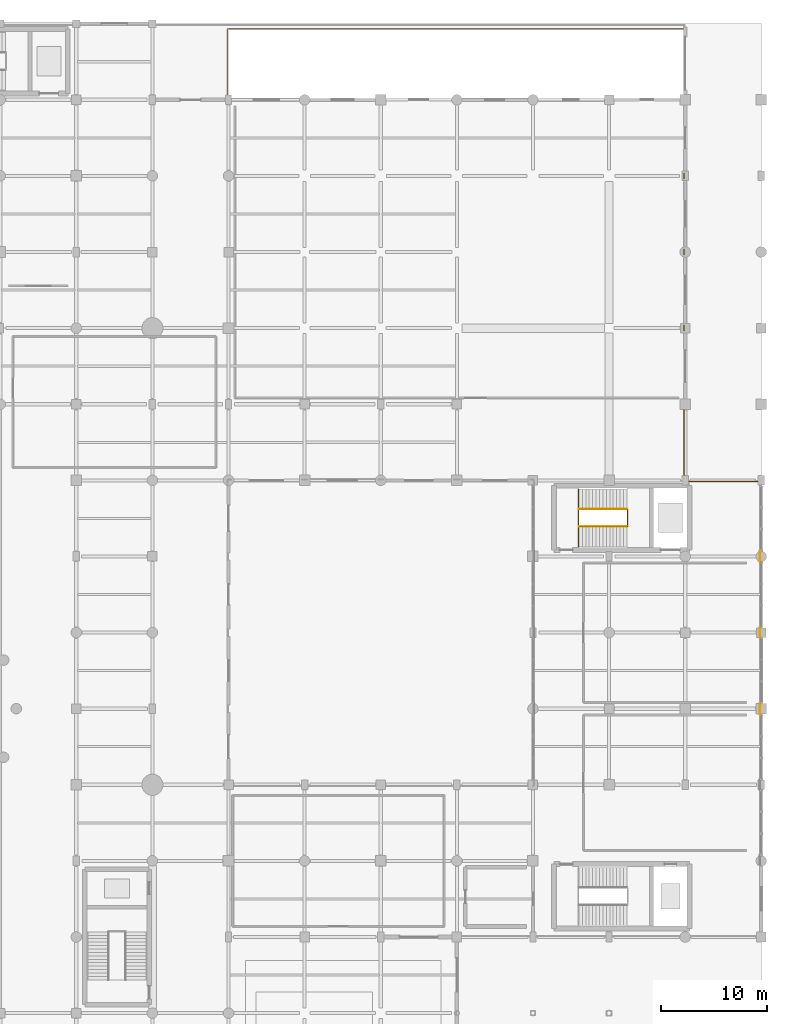
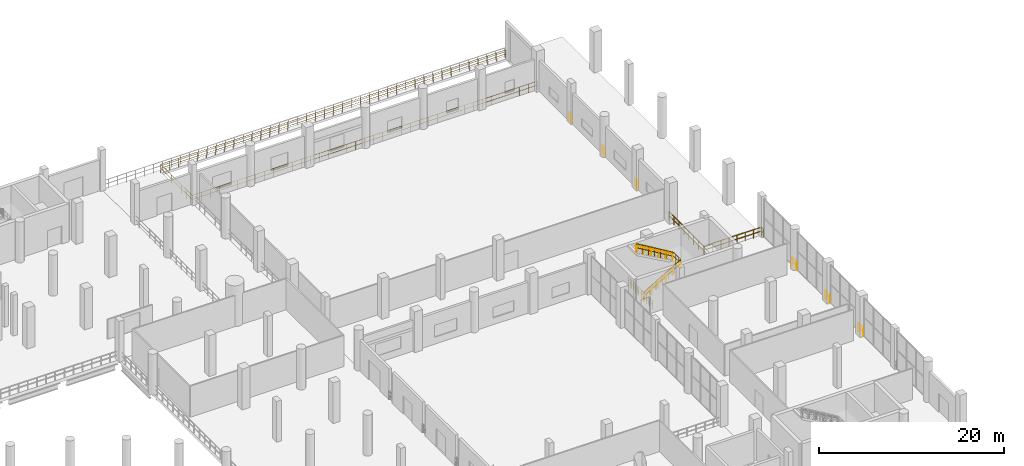
# One storey, part 55 of 58: 14 railings.
"""IFC4 building model written with IfcOpenShell, lengths in metres."""

from ifc_helpers import new_model, si_unit, direction, frame, origin, origin_2d, place, context, subcontext, project, spatial, circle, extrude, material, type_object, element, save


model = new_model("IFC4")

# Units and contexts
model_context = context("Model", 3, precision=1e-05, world=origin(), true_north=direction((0.0, 1.0)))
body_context = subcontext(model_context, "Body", "Model", "MODEL_VIEW")
ifc_project = project(units=[si_unit("LENGTHUNIT", "METRE"), si_unit("AREAUNIT", "SQUARE_METRE"), si_unit("VOLUMEUNIT", "CUBIC_METRE"), si_unit("PLANEANGLEUNIT", "RADIAN"), si_unit("MASSUNIT", "GRAM", prefix="KILO")], contexts=[model_context])

# Site, building, storey
site_placement = place(None, origin())
site = spatial("IfcSite", under=ifc_project, at=site_placement, CompositionType="ELEMENT")
building_placement = place(site_placement, origin())
building = spatial("IfcBuilding", under=site, at=building_placement, Name="Qandorah Velis Arena", CompositionType="ELEMENT")
storey_placement = place(building_placement, origin())
storey = spatial("IfcBuildingStorey", under=building, at=storey_placement, Name="L00", CompositionType="ELEMENT", Elevation=0.0)

# Railings
ifc_material = material(Name="Stainless steel 316", Category="steel")
railing_type_1 = type_object("IfcRailingType", Name="ARC-RL-GRD1150", PredefinedType="GUARDRAIL", material=ifc_material)
railing_1_placement = place(storey_placement, frame((155.510009765625, 80.159912109375, 0.0)))
element("IfcRailing", 1, at=railing_1_placement, inside=storey, type_object=railing_type_1, Name="Stair ST8 landing well-slot guardrail L00", PredefinedType="GUARDRAIL", context=body_context, shape_type="SweptSolid", body=[
    extrude(circle(Radius=0.02392578125, at=origin_2d()), frame((0.0, 0.0, 1.1259765625), z_axis=(0.0, 1.0, 0.0), x_axis=(-1.0, 0.0, 0.0)), (0.0, 0.0, 1.0), 5.380126953125),
    extrude(circle(Radius=0.02392578125, at=origin_2d()), frame((0.0, 0.0, 0.597900390625), z_axis=(0.0, 1.0, 0.0), x_axis=(-1.0, 0.0, 0.0)), (0.0, 0.0, 1.0), 5.380126953125),
    extrude(circle(Radius=0.02099609375, at=origin_2d()), origin(), (0.0, 0.0, 1.0), 1.101806640625),
    extrude(circle(Radius=0.02099609375, at=origin_2d()), frame((0.0, 0.298828125, 0.0)), (0.0, 0.0, 1.0), 1.101806640625),
    extrude(circle(Radius=0.02099609375, at=origin_2d()), frame((0.0, 0.597900390625, 0.0)), (0.0, 0.0, 1.0), 1.101806640625),
    extrude(circle(Radius=0.02099609375, at=origin_2d()), frame((0.0, 0.896728515625, 0.0)), (0.0, 0.0, 1.0), 1.101806640625),
    extrude(circle(Radius=0.02099609375, at=origin_2d()), frame((0.0, 1.195556640625, 0.0)), (0.0, 0.0, 1.0), 1.101806640625),
    extrude(circle(Radius=0.02099609375, at=origin_2d()), frame((0.0, 1.494384765625, 0.0)), (0.0, 0.0, 1.0), 1.101806640625),
    extrude(circle(Radius=0.02099609375, at=origin_2d()), frame((0.0, 1.79345703125, 0.0)), (0.0, 0.0, 1.0), 1.101806640625),
    extrude(circle(Radius=0.02099609375, at=origin_2d()), frame((0.0, 2.09228515625, 0.0)), (0.0, 0.0, 1.0), 1.101806640625),
    extrude(circle(Radius=0.02099609375, at=origin_2d()), frame((0.0, 2.39111328125, 0.0)), (0.0, 0.0, 1.0), 1.101806640625),
    extrude(circle(Radius=0.02099609375, at=origin_2d()), frame((0.0, 2.68994140625, 0.0)), (0.0, 0.0, 1.0), 1.101806640625),
    extrude(circle(Radius=0.02099609375, at=origin_2d()), frame((0.0, 2.989013671875, 0.0)), (0.0, 0.0, 1.0), 1.101806640625),
    extrude(circle(Radius=0.02099609375, at=origin_2d()), frame((0.0, 3.287841796875, 0.0)), (0.0, 0.0, 1.0), 1.101806640625),
    extrude(circle(Radius=0.02099609375, at=origin_2d()), frame((0.0, 3.586669921875, 0.0)), (0.0, 0.0, 1.0), 1.101806640625),
    extrude(circle(Radius=0.02099609375, at=origin_2d()), frame((0.0, 3.8857421875, 0.0)), (0.0, 0.0, 1.0), 1.101806640625),
    extrude(circle(Radius=0.02099609375, at=origin_2d()), frame((0.0, 4.1845703125, 0.0)), (0.0, 0.0, 1.0), 1.101806640625),
    extrude(circle(Radius=0.02099609375, at=origin_2d()), frame((0.0, 4.4833984375, 0.0)), (0.0, 0.0, 1.0), 1.101806640625),
    extrude(circle(Radius=0.02099609375, at=origin_2d()), frame((0.0, 4.7822265625, 0.0)), (0.0, 0.0, 1.0), 1.101806640625),
    extrude(circle(Radius=0.02099609375, at=origin_2d()), frame((0.0, 5.081298828125, 0.0)), (0.0, 0.0, 1.0), 1.101806640625),
    extrude(circle(Radius=0.02099609375, at=origin_2d()), frame((0.0, 5.380126953125, 0.0)), (0.0, 0.0, 1.0), 1.101806640625),
])
railing_2_placement = place(storey_placement, frame((160.14599609375, 82.0400390625, 2.699951171875)))
element("IfcRailing", 2, at=railing_2_placement, inside=storey, type_object=railing_type_1, Name="Stair ST8 well guardrail (L00)", PredefinedType="GUARDRAIL", context=body_context, shape_type="SweptSolid", body=[
    extrude(circle(Radius=0.02392578125, at=origin_2d()), frame((0.0, 0.0, 1.1259765625), z_axis=(0.0, 1.0, 0.0), x_axis=(-1.0, 0.0, 0.0)), (0.0, 0.0, 1.0), 1.619873046875),
    extrude(circle(Radius=0.02392578125, at=origin_2d()), frame((0.0, 0.0, 0.597900390625), z_axis=(0.0, 1.0, 0.0), x_axis=(-1.0, 0.0, 0.0)), (0.0, 0.0, 1.0), 1.619873046875),
    extrude(circle(Radius=0.02099609375, at=origin_2d()), origin(), (0.0, 0.0, 1.0), 1.101806640625),
    extrude(circle(Radius=0.02099609375, at=origin_2d()), frame((0.0, 0.27001953125, 0.0)), (0.0, 0.0, 1.0), 1.101806640625),
    extrude(circle(Radius=0.02099609375, at=origin_2d()), frame((0.0, 0.5400390625, 0.0)), (0.0, 0.0, 1.0), 1.101806640625),
    extrude(circle(Radius=0.02099609375, at=origin_2d()), frame((0.0, 0.81005859375, 0.0)), (0.0, 0.0, 1.0), 1.101806640625),
    extrude(circle(Radius=0.02099609375, at=origin_2d()), frame((0.0, 1.079833984375, 0.0)), (0.0, 0.0, 1.0), 1.101806640625),
    extrude(circle(Radius=0.02099609375, at=origin_2d()), frame((0.0, 1.349853515625, 0.0)), (0.0, 0.0, 1.0), 1.101806640625),
    extrude(circle(Radius=0.02099609375, at=origin_2d()), frame((0.0, 1.619873046875, 0.0)), (0.0, 0.0, 1.0), 1.101806640625),
])
railing_3_placement = place(storey_placement, frame((155.550048828125, 82.030029296875, 0.0)))
element("IfcRailing", 3, at=railing_3_placement, inside=storey, type_object=railing_type_1, Name="Stair ST8 inner flight 1 guardrail (L00)", PredefinedType="GUARDRAIL", context=body_context, shape_type="SweptSolid", body=[
    extrude(circle(Radius=0.02392578125, at=origin_2d()), frame((0.0, 0.0, 1.1259765625), z_axis=(0.859291432417, 0.0, 0.511486299107), x_axis=(0.0, 1.0, 0.0)), (0.0, 0.0, 1.0), 5.278564453125),
    extrude(circle(Radius=0.02392578125, at=origin_2d()), frame((0.0, 0.0, 0.597900390625), z_axis=(0.859291432417, 0.0, 0.511486299107), x_axis=(0.0, 1.0, 0.0)), (0.0, 0.0, 1.0), 5.278564453125),
    extrude(circle(Radius=0.02099609375, at=origin_2d()), origin(), (0.0, 0.0, 1.0), 1.101806640625),
    extrude(circle(Radius=0.02099609375, at=origin_2d()), frame((0.755859375, 0.0, 0.449951171875)), (0.0, 0.0, 1.0), 1.101806640625),
    extrude(circle(Radius=0.02099609375, at=origin_2d()), frame((1.511962890625, 0.0, 0.89990234375)), (0.0, 0.0, 1.0), 1.101806640625),
    extrude(circle(Radius=0.02099609375, at=origin_2d()), frame((2.26806640625, 0.0, 1.35009765625)), (0.0, 0.0, 1.0), 1.101806640625),
    extrude(circle(Radius=0.02099609375, at=origin_2d()), frame((3.02392578125, 0.0, 1.800048828125)), (0.0, 0.0, 1.0), 1.101806640625),
    extrude(circle(Radius=0.02099609375, at=origin_2d()), frame((3.77978515625, 0.0, 2.25)), (0.0, 0.0, 1.0), 1.101806640625),
    extrude(circle(Radius=0.02099609375, at=origin_2d()), frame((4.535888671875, 0.0, 2.699951171875)), (0.0, 0.0, 1.0), 1.101806640625),
])
railing_4_placement = place(storey_placement, frame((160.0859375, 83.669921875, 2.699951171875)))
element("IfcRailing", 4, at=railing_4_placement, inside=storey, type_object=railing_type_1, Name="Stair ST8 inner flight 2 guardrail (L00)", PredefinedType="GUARDRAIL", context=body_context, shape_type="SweptSolid", body=[
    extrude(circle(Radius=0.02392578125, at=origin_2d()), frame((0.0, 0.0, 1.1259765625), z_axis=(-0.859291432417, 0.0, 0.511486299107), x_axis=(0.0, -1.0, 0.0)), (0.0, 0.0, 1.0), 5.278564453125),
    extrude(circle(Radius=0.02392578125, at=origin_2d()), frame((0.0, 0.0, 0.597900390625), z_axis=(-0.859291432417, 0.0, 0.511486299107), x_axis=(0.0, -1.0, 0.0)), (0.0, 0.0, 1.0), 5.278564453125),
    extrude(circle(Radius=0.02099609375, at=origin_2d()), origin(), (0.0, 0.0, 1.0), 1.101806640625),
    extrude(circle(Radius=0.02099609375, at=origin_2d()), frame((-0.755859375, 0.0, 0.449951171875)), (0.0, 0.0, 1.0), 1.101806640625),
    extrude(circle(Radius=0.02099609375, at=origin_2d()), frame((-1.511962890625, 0.0, 0.89990234375)), (0.0, 0.0, 1.0), 1.101806640625),
    extrude(circle(Radius=0.02099609375, at=origin_2d()), frame((-2.26806640625, 0.0, 1.35009765625)), (0.0, 0.0, 1.0), 1.101806640625),
    extrude(circle(Radius=0.02099609375, at=origin_2d()), frame((-3.02392578125, 0.0, 1.800048828125)), (0.0, 0.0, 1.0), 1.101806640625),
    extrude(circle(Radius=0.02099609375, at=origin_2d()), frame((-3.77978515625, 0.0, 2.25)), (0.0, 0.0, 1.0), 1.101806640625),
    extrude(circle(Radius=0.02099609375, at=origin_2d()), frame((-4.535888671875, 0.0, 2.699951171875)), (0.0, 0.0, 1.0), 1.101806640625),
])
railing_5_placement = place(storey_placement, frame((165.449951171875, 122.300048828125, 0.0)))
element("IfcRailing", 5, at=railing_5_placement, inside=storey, type_object=railing_type_1, Name="Vehicle ramp L00 well guardrail", PredefinedType="GUARDRAIL", context=body_context, shape_type="SweptSolid", body=[
    extrude(circle(Radius=0.02392578125, at=origin_2d()), frame((0.0, 0.0, 1.1259765625), z_axis=(-1.0, 0.0, 0.0), x_axis=(0.0, -1.0, 0.0)), (0.0, 0.0, 1.0), 43.14990234375),
    extrude(circle(Radius=0.02392578125, at=origin_2d()), frame((0.0, 0.0, 0.597900390625), z_axis=(-1.0, 0.0, 0.0), x_axis=(0.0, -1.0, 0.0)), (0.0, 0.0, 1.0), 43.14990234375),
    extrude(circle(Radius=0.02392578125, at=origin_2d()), frame((-43.14990234375, 0.0, 1.1259765625), z_axis=(0.0, 1.0, 0.0), x_axis=(-1.0, 0.0, 0.0)), (0.0, 0.0, 1.0), 6.800048828125),
    extrude(circle(Radius=0.02392578125, at=origin_2d()), frame((-43.14990234375, 0.0, 0.597900390625), z_axis=(0.0, 1.0, 0.0), x_axis=(-1.0, 0.0, 0.0)), (0.0, 0.0, 1.0), 6.800048828125),
    extrude(circle(Radius=0.02392578125, at=origin_2d()), frame((-43.14990234375, 6.800048828125, 1.1259765625), z_axis=(1.0, 0.0, 0.0), x_axis=(0.0, 1.0, 0.0)), (0.0, 0.0, 1.0), 43.14990234375),
    extrude(circle(Radius=0.02392578125, at=origin_2d()), frame((-43.14990234375, 6.800048828125, 0.597900390625), z_axis=(1.0, 0.0, 0.0), x_axis=(0.0, 1.0, 0.0)), (0.0, 0.0, 1.0), 43.14990234375),
    extrude(circle(Radius=0.02099609375, at=origin_2d()), origin(), (0.0, 0.0, 1.0), 1.101806640625),
    extrude(circle(Radius=0.02099609375, at=origin_2d()), frame((-1.135498046875, 0.0, 0.0)), (0.0, 0.0, 1.0), 1.101806640625),
    extrude(circle(Radius=0.02099609375, at=origin_2d()), frame((-2.27099609375, 0.0, 0.0)), (0.0, 0.0, 1.0), 1.101806640625),
    extrude(circle(Radius=0.02099609375, at=origin_2d()), frame((-3.406494140625, 0.0, 0.0)), (0.0, 0.0, 1.0), 1.101806640625),
    extrude(circle(Radius=0.02099609375, at=origin_2d()), frame((-4.5419921875, 0.0, 0.0)), (0.0, 0.0, 1.0), 1.101806640625),
    extrude(circle(Radius=0.02099609375, at=origin_2d()), frame((-5.677734375, 0.0, 0.0)), (0.0, 0.0, 1.0), 1.101806640625),
    extrude(circle(Radius=0.02099609375, at=origin_2d()), frame((-6.813232421875, 0.0, 0.0)), (0.0, 0.0, 1.0), 1.101806640625),
    extrude(circle(Radius=0.02099609375, at=origin_2d()), frame((-7.94873046875, 0.0, 0.0)), (0.0, 0.0, 1.0), 1.101806640625),
    extrude(circle(Radius=0.02099609375, at=origin_2d()), frame((-9.084228515625, 0.0, 0.0)), (0.0, 0.0, 1.0), 1.101806640625),
    extrude(circle(Radius=0.02099609375, at=origin_2d()), frame((-10.2197265625, 0.0, 0.0)), (0.0, 0.0, 1.0), 1.101806640625),
    extrude(circle(Radius=0.02099609375, at=origin_2d()), frame((-11.355224609375, 0.0, 0.0)), (0.0, 0.0, 1.0), 1.101806640625),
    extrude(circle(Radius=0.02099609375, at=origin_2d()), frame((-12.49072265625, 0.0, 0.0)), (0.0, 0.0, 1.0), 1.101806640625),
    extrude(circle(Radius=0.02099609375, at=origin_2d()), frame((-13.626220703125, 0.0, 0.0)), (0.0, 0.0, 1.0), 1.101806640625),
    extrude(circle(Radius=0.02099609375, at=origin_2d()), frame((-14.76171875, 0.0, 0.0)), (0.0, 0.0, 1.0), 1.101806640625),
    extrude(circle(Radius=0.02099609375, at=origin_2d()), frame((-15.897216796875, 0.0, 0.0)), (0.0, 0.0, 1.0), 1.101806640625),
    extrude(circle(Radius=0.02099609375, at=origin_2d()), frame((-17.032958984375, 0.0, 0.0)), (0.0, 0.0, 1.0), 1.101806640625),
    extrude(circle(Radius=0.02099609375, at=origin_2d()), frame((-18.16845703125, 0.0, 0.0)), (0.0, 0.0, 1.0), 1.101806640625),
    extrude(circle(Radius=0.02099609375, at=origin_2d()), frame((-19.303955078125, 0.0, 0.0)), (0.0, 0.0, 1.0), 1.101806640625),
    extrude(circle(Radius=0.02099609375, at=origin_2d()), frame((-20.439453125, 0.0, 0.0)), (0.0, 0.0, 1.0), 1.101806640625),
    extrude(circle(Radius=0.02099609375, at=origin_2d()), frame((-21.574951171875, 0.0, 0.0)), (0.0, 0.0, 1.0), 1.101806640625),
    extrude(circle(Radius=0.02099609375, at=origin_2d()), frame((-22.71044921875, 0.0, 0.0)), (0.0, 0.0, 1.0), 1.101806640625),
    extrude(circle(Radius=0.02099609375, at=origin_2d()), frame((-23.845947265625, 0.0, 0.0)), (0.0, 0.0, 1.0), 1.101806640625),
    extrude(circle(Radius=0.02099609375, at=origin_2d()), frame((-24.9814453125, 0.0, 0.0)), (0.0, 0.0, 1.0), 1.101806640625),
    extrude(circle(Radius=0.02099609375, at=origin_2d()), frame((-26.116943359375, 0.0, 0.0)), (0.0, 0.0, 1.0), 1.101806640625),
    extrude(circle(Radius=0.02099609375, at=origin_2d()), frame((-27.252685546875, 0.0, 0.0)), (0.0, 0.0, 1.0), 1.101806640625),
    extrude(circle(Radius=0.02099609375, at=origin_2d()), frame((-28.38818359375, 0.0, 0.0)), (0.0, 0.0, 1.0), 1.101806640625),
    extrude(circle(Radius=0.02099609375, at=origin_2d()), frame((-29.523681640625, 0.0, 0.0)), (0.0, 0.0, 1.0), 1.101806640625),
    extrude(circle(Radius=0.02099609375, at=origin_2d()), frame((-30.6591796875, 0.0, 0.0)), (0.0, 0.0, 1.0), 1.101806640625),
    extrude(circle(Radius=0.02099609375, at=origin_2d()), frame((-31.794677734375, 0.0, 0.0)), (0.0, 0.0, 1.0), 1.101806640625),
    extrude(circle(Radius=0.02099609375, at=origin_2d()), frame((-32.93017578125, 0.0, 0.0)), (0.0, 0.0, 1.0), 1.101806640625),
    extrude(circle(Radius=0.02099609375, at=origin_2d()), frame((-34.065673828125, 0.0, 0.0)), (0.0, 0.0, 1.0), 1.101806640625),
    extrude(circle(Radius=0.02099609375, at=origin_2d()), frame((-35.201171875, 0.0, 0.0)), (0.0, 0.0, 1.0), 1.101806640625),
    extrude(circle(Radius=0.02099609375, at=origin_2d()), frame((-36.336669921875, 0.0, 0.0)), (0.0, 0.0, 1.0), 1.101806640625),
    extrude(circle(Radius=0.02099609375, at=origin_2d()), frame((-37.47216796875, 0.0, 0.0)), (0.0, 0.0, 1.0), 1.101806640625),
    extrude(circle(Radius=0.02099609375, at=origin_2d()), frame((-38.60791015625, 0.0, 0.0)), (0.0, 0.0, 1.0), 1.101806640625),
    extrude(circle(Radius=0.02099609375, at=origin_2d()), frame((-39.743408203125, 0.0, 0.0)), (0.0, 0.0, 1.0), 1.101806640625),
    extrude(circle(Radius=0.02099609375, at=origin_2d()), frame((-40.87890625, 0.0, 0.0)), (0.0, 0.0, 1.0), 1.101806640625),
    extrude(circle(Radius=0.02099609375, at=origin_2d()), frame((-42.014404296875, 0.0, 0.0)), (0.0, 0.0, 1.0), 1.101806640625),
    extrude(circle(Radius=0.02099609375, at=origin_2d()), frame((-43.14990234375, 0.0, 0.0)), (0.0, 0.0, 1.0), 1.101806640625),
    extrude(circle(Radius=0.02099609375, at=origin_2d()), frame((-43.14990234375, 1.13330078125, 0.0)), (0.0, 0.0, 1.0), 1.101806640625),
    extrude(circle(Radius=0.02099609375, at=origin_2d()), frame((-43.14990234375, 2.2666015625, 0.0)), (0.0, 0.0, 1.0), 1.101806640625),
    extrude(circle(Radius=0.02099609375, at=origin_2d()), frame((-43.14990234375, 3.39990234375, 0.0)), (0.0, 0.0, 1.0), 1.101806640625),
    extrude(circle(Radius=0.02099609375, at=origin_2d()), frame((-43.14990234375, 4.533447265625, 0.0)), (0.0, 0.0, 1.0), 1.101806640625),
    extrude(circle(Radius=0.02099609375, at=origin_2d()), frame((-43.14990234375, 5.666748046875, 0.0)), (0.0, 0.0, 1.0), 1.101806640625),
    extrude(circle(Radius=0.02099609375, at=origin_2d()), frame((-43.14990234375, 6.800048828125, 0.0)), (0.0, 0.0, 1.0), 1.101806640625),
    extrude(circle(Radius=0.02099609375, at=origin_2d()), frame((-42.014404296875, 6.800048828125, 0.0)), (0.0, 0.0, 1.0), 1.101806640625),
    extrude(circle(Radius=0.02099609375, at=origin_2d()), frame((-40.87890625, 6.800048828125, 0.0)), (0.0, 0.0, 1.0), 1.101806640625),
    extrude(circle(Radius=0.02099609375, at=origin_2d()), frame((-39.743408203125, 6.800048828125, 0.0)), (0.0, 0.0, 1.0), 1.101806640625),
    extrude(circle(Radius=0.02099609375, at=origin_2d()), frame((-38.60791015625, 6.800048828125, 0.0)), (0.0, 0.0, 1.0), 1.101806640625),
    extrude(circle(Radius=0.02099609375, at=origin_2d()), frame((-37.47216796875, 6.800048828125, 0.0)), (0.0, 0.0, 1.0), 1.101806640625),
    extrude(circle(Radius=0.02099609375, at=origin_2d()), frame((-36.336669921875, 6.800048828125, 0.0)), (0.0, 0.0, 1.0), 1.101806640625),
    extrude(circle(Radius=0.02099609375, at=origin_2d()), frame((-35.201171875, 6.800048828125, 0.0)), (0.0, 0.0, 1.0), 1.101806640625),
    extrude(circle(Radius=0.02099609375, at=origin_2d()), frame((-34.065673828125, 6.800048828125, 0.0)), (0.0, 0.0, 1.0), 1.101806640625),
    extrude(circle(Radius=0.02099609375, at=origin_2d()), frame((-32.93017578125, 6.800048828125, 0.0)), (0.0, 0.0, 1.0), 1.101806640625),
    extrude(circle(Radius=0.02099609375, at=origin_2d()), frame((-31.794677734375, 6.800048828125, 0.0)), (0.0, 0.0, 1.0), 1.101806640625),
    extrude(circle(Radius=0.02099609375, at=origin_2d()), frame((-30.6591796875, 6.800048828125, 0.0)), (0.0, 0.0, 1.0), 1.101806640625),
    extrude(circle(Radius=0.02099609375, at=origin_2d()), frame((-29.523681640625, 6.800048828125, 0.0)), (0.0, 0.0, 1.0), 1.101806640625),
    extrude(circle(Radius=0.02099609375, at=origin_2d()), frame((-28.38818359375, 6.800048828125, 0.0)), (0.0, 0.0, 1.0), 1.101806640625),
    extrude(circle(Radius=0.02099609375, at=origin_2d()), frame((-27.252685546875, 6.800048828125, 0.0)), (0.0, 0.0, 1.0), 1.101806640625),
    extrude(circle(Radius=0.02099609375, at=origin_2d()), frame((-26.116943359375, 6.800048828125, 0.0)), (0.0, 0.0, 1.0), 1.101806640625),
    extrude(circle(Radius=0.02099609375, at=origin_2d()), frame((-24.9814453125, 6.800048828125, 0.0)), (0.0, 0.0, 1.0), 1.101806640625),
    extrude(circle(Radius=0.02099609375, at=origin_2d()), frame((-23.845947265625, 6.800048828125, 0.0)), (0.0, 0.0, 1.0), 1.101806640625),
    extrude(circle(Radius=0.02099609375, at=origin_2d()), frame((-22.71044921875, 6.800048828125, 0.0)), (0.0, 0.0, 1.0), 1.101806640625),
    extrude(circle(Radius=0.02099609375, at=origin_2d()), frame((-21.574951171875, 6.800048828125, 0.0)), (0.0, 0.0, 1.0), 1.101806640625),
    extrude(circle(Radius=0.02099609375, at=origin_2d()), frame((-20.439453125, 6.800048828125, 0.0)), (0.0, 0.0, 1.0), 1.101806640625),
    extrude(circle(Radius=0.02099609375, at=origin_2d()), frame((-19.303955078125, 6.800048828125, 0.0)), (0.0, 0.0, 1.0), 1.101806640625),
    extrude(circle(Radius=0.02099609375, at=origin_2d()), frame((-18.16845703125, 6.800048828125, 0.0)), (0.0, 0.0, 1.0), 1.101806640625),
    extrude(circle(Radius=0.02099609375, at=origin_2d()), frame((-17.032958984375, 6.800048828125, 0.0)), (0.0, 0.0, 1.0), 1.101806640625),
    extrude(circle(Radius=0.02099609375, at=origin_2d()), frame((-15.897216796875, 6.800048828125, 0.0)), (0.0, 0.0, 1.0), 1.101806640625),
    extrude(circle(Radius=0.02099609375, at=origin_2d()), frame((-14.76171875, 6.800048828125, 0.0)), (0.0, 0.0, 1.0), 1.101806640625),
    extrude(circle(Radius=0.02099609375, at=origin_2d()), frame((-13.626220703125, 6.800048828125, 0.0)), (0.0, 0.0, 1.0), 1.101806640625),
    extrude(circle(Radius=0.02099609375, at=origin_2d()), frame((-12.49072265625, 6.800048828125, 0.0)), (0.0, 0.0, 1.0), 1.101806640625),
    extrude(circle(Radius=0.02099609375, at=origin_2d()), frame((-11.355224609375, 6.800048828125, 0.0)), (0.0, 0.0, 1.0), 1.101806640625),
    extrude(circle(Radius=0.02099609375, at=origin_2d()), frame((-10.2197265625, 6.800048828125, 0.0)), (0.0, 0.0, 1.0), 1.101806640625),
    extrude(circle(Radius=0.02099609375, at=origin_2d()), frame((-9.084228515625, 6.800048828125, 0.0)), (0.0, 0.0, 1.0), 1.101806640625),
    extrude(circle(Radius=0.02099609375, at=origin_2d()), frame((-7.94873046875, 6.800048828125, 0.0)), (0.0, 0.0, 1.0), 1.101806640625),
    extrude(circle(Radius=0.02099609375, at=origin_2d()), frame((-6.813232421875, 6.800048828125, 0.0)), (0.0, 0.0, 1.0), 1.101806640625),
    extrude(circle(Radius=0.02099609375, at=origin_2d()), frame((-5.677734375, 6.800048828125, 0.0)), (0.0, 0.0, 1.0), 1.101806640625),
    extrude(circle(Radius=0.02099609375, at=origin_2d()), frame((-4.5419921875, 6.800048828125, 0.0)), (0.0, 0.0, 1.0), 1.101806640625),
    extrude(circle(Radius=0.02099609375, at=origin_2d()), frame((-3.406494140625, 6.800048828125, 0.0)), (0.0, 0.0, 1.0), 1.101806640625),
    extrude(circle(Radius=0.02099609375, at=origin_2d()), frame((-2.27099609375, 6.800048828125, 0.0)), (0.0, 0.0, 1.0), 1.101806640625),
    extrude(circle(Radius=0.02099609375, at=origin_2d()), frame((-1.135498046875, 6.800048828125, 0.0)), (0.0, 0.0, 1.0), 1.101806640625),
    extrude(circle(Radius=0.02099609375, at=origin_2d()), frame((0.0, 6.800048828125, 0.0)), (0.0, 0.0, 1.0), 1.101806640625),
])
for number, where, name in (
    (6, (165.5, 115.449951171875, 0.0), "Slab edge safety guardrail L00-051"),
    (7, (165.5, 108.25, 0.0), "Slab edge safety guardrail L00-052"),
    (8, (165.5, 101.050048828125, 0.0), "Slab edge safety guardrail L00-053"),
):
    element("IfcRailing", number, at=place(storey_placement, frame(where)), inside=storey, type_object=railing_type_1, Name=name, PredefinedType="GUARDRAIL", context=body_context, shape_type="SweptSolid", body=[
        extrude(circle(Radius=0.02392578125, at=origin_2d()), frame((0.0, 0.0, 1.1259765625), z_axis=(0.0, -1.0, 0.0), x_axis=(1.0, 0.0, 0.0)), (0.0, 0.0, 1.0), 0.5),
        extrude(circle(Radius=0.02392578125, at=origin_2d()), frame((0.0, 0.0, 0.597900390625), z_axis=(0.0, -1.0, 0.0), x_axis=(1.0, 0.0, 0.0)), (0.0, 0.0, 1.0), 0.5),
        extrude(circle(Radius=0.02099609375, at=origin_2d()), origin(), (0.0, 0.0, 1.0), 1.101806640625),
        extrude(circle(Radius=0.02099609375, at=origin_2d()), frame((0.0, -0.5, 0.0)), (0.0, 0.0, 1.0), 1.101806640625),
    ])
railing_6_placement = place(storey_placement, frame((165.5, 93.85009765625, 0.0)))
element("IfcRailing", 9, at=railing_6_placement, inside=storey, type_object=railing_type_1, Name="Slab edge safety guardrail L00-054", PredefinedType="GUARDRAIL", context=body_context, shape_type="SweptSolid", body=[
    extrude(circle(Radius=0.02392578125, at=origin_2d()), frame((0.0, 0.0, 1.1259765625), z_axis=(0.0, -1.0, 0.0), x_axis=(1.0, 0.0, 0.0)), (0.0, 0.0, 1.0), 7.4501953125),
    extrude(circle(Radius=0.02392578125, at=origin_2d()), frame((0.0, 0.0, 0.597900390625), z_axis=(0.0, -1.0, 0.0), x_axis=(1.0, 0.0, 0.0)), (0.0, 0.0, 1.0), 7.4501953125),
    extrude(circle(Radius=0.02392578125, at=origin_2d()), frame((0.0, -7.4501953125, 1.1259765625), z_axis=(0.635437237523, -0.77215252196, 0.0), x_axis=(0.77215252196, 0.635437237523, 0.0)), (0.0, 0.0, 1.0), 0.126708984375),
    extrude(circle(Radius=0.02392578125, at=origin_2d()), frame((0.0, -7.4501953125, 0.597900390625), z_axis=(0.635437237523, -0.77215252196, 0.0), x_axis=(0.77215252196, 0.635437237523, 0.0)), (0.0, 0.0, 1.0), 0.126708984375),
    extrude(circle(Radius=0.02392578125, at=origin_2d()), frame((0.08056640625, -7.548095703125, 1.1259765625), z_axis=(0.999999962369, -0.000274339004, 0.0), x_axis=(0.000274339004, 0.999999962369, 0.0)), (0.0, 0.0, 1.0), 7.119384765625),
    extrude(circle(Radius=0.02392578125, at=origin_2d()), frame((0.08056640625, -7.548095703125, 0.597900390625), z_axis=(0.999999962369, -0.000274339004, 0.0), x_axis=(0.000274339004, 0.999999962369, 0.0)), (0.0, 0.0, 1.0), 7.119384765625),
    extrude(circle(Radius=0.02392578125, at=origin_2d()), frame((7.199951171875, -7.550048828125, 1.1259765625), z_axis=(0.0, -1.0, 0.0), x_axis=(1.0, 0.0, 0.0)), (0.0, 0.0, 1.0), 0.375),
    extrude(circle(Radius=0.02392578125, at=origin_2d()), frame((7.199951171875, -7.550048828125, 0.597900390625), z_axis=(0.0, -1.0, 0.0), x_axis=(1.0, 0.0, 0.0)), (0.0, 0.0, 1.0), 0.375),
    extrude(circle(Radius=0.02099609375, at=origin_2d()), origin(), (0.0, 0.0, 1.0), 1.101806640625),
    extrude(circle(Radius=0.02099609375, at=origin_2d()), frame((0.0, -1.064208984375, 0.0)), (0.0, 0.0, 1.0), 1.101806640625),
    extrude(circle(Radius=0.02099609375, at=origin_2d()), frame((0.0, -2.128662109375, 0.0)), (0.0, 0.0, 1.0), 1.101806640625),
    extrude(circle(Radius=0.02099609375, at=origin_2d()), frame((0.0, -3.19287109375, 0.0)), (0.0, 0.0, 1.0), 1.101806640625),
    extrude(circle(Radius=0.02099609375, at=origin_2d()), frame((0.0, -4.25732421875, 0.0)), (0.0, 0.0, 1.0), 1.101806640625),
    extrude(circle(Radius=0.02099609375, at=origin_2d()), frame((0.0, -5.321533203125, 0.0)), (0.0, 0.0, 1.0), 1.101806640625),
    extrude(circle(Radius=0.02099609375, at=origin_2d()), frame((0.0, -6.385986328125, 0.0)), (0.0, 0.0, 1.0), 1.101806640625),
    extrude(circle(Radius=0.02099609375, at=origin_2d()), frame((0.0, -7.4501953125, 0.0)), (0.0, 0.0, 1.0), 1.101806640625),
    extrude(circle(Radius=0.02099609375, at=origin_2d()), frame((0.08056640625, -7.548095703125, 0.0)), (0.0, 0.0, 1.0), 1.101806640625),
    extrude(circle(Radius=0.02099609375, at=origin_2d()), frame((1.09765625, -7.54833984375, 0.0)), (0.0, 0.0, 1.0), 1.101806640625),
    extrude(circle(Radius=0.02099609375, at=origin_2d()), frame((2.11474609375, -7.548583984375, 0.0)), (0.0, 0.0, 1.0), 1.101806640625),
    extrude(circle(Radius=0.02099609375, at=origin_2d()), frame((3.1318359375, -7.548828125, 0.0)), (0.0, 0.0, 1.0), 1.101806640625),
    extrude(circle(Radius=0.02099609375, at=origin_2d()), frame((4.148681640625, -7.54931640625, 0.0)), (0.0, 0.0, 1.0), 1.101806640625),
    extrude(circle(Radius=0.02099609375, at=origin_2d()), frame((5.165771484375, -7.549560546875, 0.0)), (0.0, 0.0, 1.0), 1.101806640625),
    extrude(circle(Radius=0.02099609375, at=origin_2d()), frame((6.182861328125, -7.5498046875, 0.0)), (0.0, 0.0, 1.0), 1.101806640625),
    extrude(circle(Radius=0.02099609375, at=origin_2d()), frame((7.199951171875, -7.550048828125, 0.0)), (0.0, 0.0, 1.0), 1.101806640625),
    extrude(circle(Radius=0.02099609375, at=origin_2d()), frame((7.199951171875, -7.925048828125, 0.0)), (0.0, 0.0, 1.0), 1.101806640625),
])
railing_7_placement = place(storey_placement, frame((172.699951171875, 79.72509765625, 0.0)))
element("IfcRailing", 10, at=railing_7_placement, inside=storey, type_object=railing_type_1, Name="Slab edge safety guardrail L00-055", PredefinedType="GUARDRAIL", context=body_context, shape_type="SweptSolid", body=[
    extrude(circle(Radius=0.02392578125, at=origin_2d()), frame((0.0, 0.0, 1.1259765625), z_axis=(0.0, -1.0, 0.0), x_axis=(1.0, 0.0, 0.0)), (0.0, 0.0, 1.0), 1.050048828125),
    extrude(circle(Radius=0.02392578125, at=origin_2d()), frame((0.0, 0.0, 0.597900390625), z_axis=(0.0, -1.0, 0.0), x_axis=(1.0, 0.0, 0.0)), (0.0, 0.0, 1.0), 1.050048828125),
    extrude(circle(Radius=0.02099609375, at=origin_2d()), origin(), (0.0, 0.0, 1.0), 1.101806640625),
    extrude(circle(Radius=0.02099609375, at=origin_2d()), frame((0.0, -1.050048828125, 0.0)), (0.0, 0.0, 1.0), 1.101806640625),
])
railing_8_placement = place(storey_placement, frame((172.699951171875, 72.47509765625, 0.0)))
element("IfcRailing", 11, at=railing_8_placement, inside=storey, type_object=railing_type_1, Name="Slab edge safety guardrail L00-056", PredefinedType="GUARDRAIL", context=body_context, shape_type="SweptSolid", body=[
    extrude(circle(Radius=0.02392578125, at=origin_2d()), frame((0.0, 0.0, 1.1259765625), z_axis=(0.0, -1.0, 0.0), x_axis=(1.0, 0.0, 0.0)), (0.0, 0.0, 1.0), 0.9501953125),
    extrude(circle(Radius=0.02392578125, at=origin_2d()), frame((0.0, 0.0, 0.597900390625), z_axis=(0.0, -1.0, 0.0), x_axis=(1.0, 0.0, 0.0)), (0.0, 0.0, 1.0), 0.9501953125),
    extrude(circle(Radius=0.02099609375, at=origin_2d()), origin(), (0.0, 0.0, 1.0), 1.101806640625),
    extrude(circle(Radius=0.02099609375, at=origin_2d()), frame((0.0, -0.9501953125, 0.0)), (0.0, 0.0, 1.0), 1.101806640625),
])
railing_9_placement = place(storey_placement, frame((172.699951171875, 65.324951171875, 0.0)))
element("IfcRailing", 12, at=railing_9_placement, inside=storey, type_object=railing_type_1, Name="Slab edge safety guardrail L00-057", PredefinedType="GUARDRAIL", context=body_context, shape_type="SweptSolid", body=[
    extrude(circle(Radius=0.02392578125, at=origin_2d()), frame((0.0, 0.0, 1.1259765625), z_axis=(0.0, -1.0, 0.0), x_axis=(1.0, 0.0, 0.0)), (0.0, 0.0, 1.0), 1.050048828125),
    extrude(circle(Radius=0.02392578125, at=origin_2d()), frame((0.0, 0.0, 0.597900390625), z_axis=(0.0, -1.0, 0.0), x_axis=(1.0, 0.0, 0.0)), (0.0, 0.0, 1.0), 1.050048828125),
    extrude(circle(Radius=0.02099609375, at=origin_2d()), origin(), (0.0, 0.0, 1.0), 1.101806640625),
    extrude(circle(Radius=0.02099609375, at=origin_2d()), frame((0.0, -1.050048828125, 0.0)), (0.0, 0.0, 1.0), 1.101806640625),
])
railing_type_2 = type_object("IfcRailingType", Name="ARC-RL-HND920", PredefinedType="HANDRAIL", material=ifc_material)
railing_10_placement = place(storey_placement, frame((155.550048828125, 82.030029296875, 0.0)))
element("IfcRailing", 13, at=railing_10_placement, inside=storey, type_object=railing_type_2, Name="Stair ST8 inner handrail 1 (L00)", PredefinedType="HANDRAIL", context=body_context, shape_type="SweptSolid", body=[
    extrude(circle(Radius=0.02392578125, at=origin_2d()), frame((0.0, 0.0, 0.89599609375), z_axis=(0.859291432417, 0.0, 0.511486299107), x_axis=(0.0, 1.0, 0.0)), (0.0, 0.0, 1.0), 5.278564453125),
    extrude(circle(Radius=0.02099609375, at=origin_2d()), origin(), (0.0, 0.0, 1.0), 0.871826171875),
    extrude(circle(Radius=0.02099609375, at=origin_2d()), frame((0.9072265625, 0.0, 0.5400390625)), (0.0, 0.0, 1.0), 0.871826171875),
    extrude(circle(Radius=0.02099609375, at=origin_2d()), frame((1.814453125, 0.0, 1.080078125)), (0.0, 0.0, 1.0), 0.871826171875),
    extrude(circle(Radius=0.02099609375, at=origin_2d()), frame((2.721435546875, 0.0, 1.619873046875)), (0.0, 0.0, 1.0), 0.871826171875),
    extrude(circle(Radius=0.02099609375, at=origin_2d()), frame((3.628662109375, 0.0, 2.159912109375)), (0.0, 0.0, 1.0), 0.871826171875),
    extrude(circle(Radius=0.02099609375, at=origin_2d()), frame((4.535888671875, 0.0, 2.699951171875)), (0.0, 0.0, 1.0), 0.871826171875),
])
railing_11_placement = place(storey_placement, frame((160.0859375, 83.669921875, 2.699951171875)))
element("IfcRailing", 14, at=railing_11_placement, inside=storey, type_object=railing_type_2, Name="Stair ST8 inner handrail 2 (L00)", PredefinedType="HANDRAIL", context=body_context, shape_type="SweptSolid", body=[
    extrude(circle(Radius=0.02392578125, at=origin_2d()), frame((0.0, 0.0, 0.89599609375), z_axis=(-0.859291432417, 0.0, 0.511486299107), x_axis=(0.0, -1.0, 0.0)), (0.0, 0.0, 1.0), 5.278564453125),
    extrude(circle(Radius=0.02099609375, at=origin_2d()), origin(), (0.0, 0.0, 1.0), 0.871826171875),
    extrude(circle(Radius=0.02099609375, at=origin_2d()), frame((-0.9072265625, 0.0, 0.5400390625)), (0.0, 0.0, 1.0), 0.871826171875),
    extrude(circle(Radius=0.02099609375, at=origin_2d()), frame((-1.814453125, 0.0, 1.080078125)), (0.0, 0.0, 1.0), 0.871826171875),
    extrude(circle(Radius=0.02099609375, at=origin_2d()), frame((-2.721435546875, 0.0, 1.619873046875)), (0.0, 0.0, 1.0), 0.871826171875),
    extrude(circle(Radius=0.02099609375, at=origin_2d()), frame((-3.628662109375, 0.0, 2.159912109375)), (0.0, 0.0, 1.0), 0.871826171875),
    extrude(circle(Radius=0.02099609375, at=origin_2d()), frame((-4.535888671875, 0.0, 2.699951171875)), (0.0, 0.0, 1.0), 0.871826171875),
])

save(model, "model.ifc")
